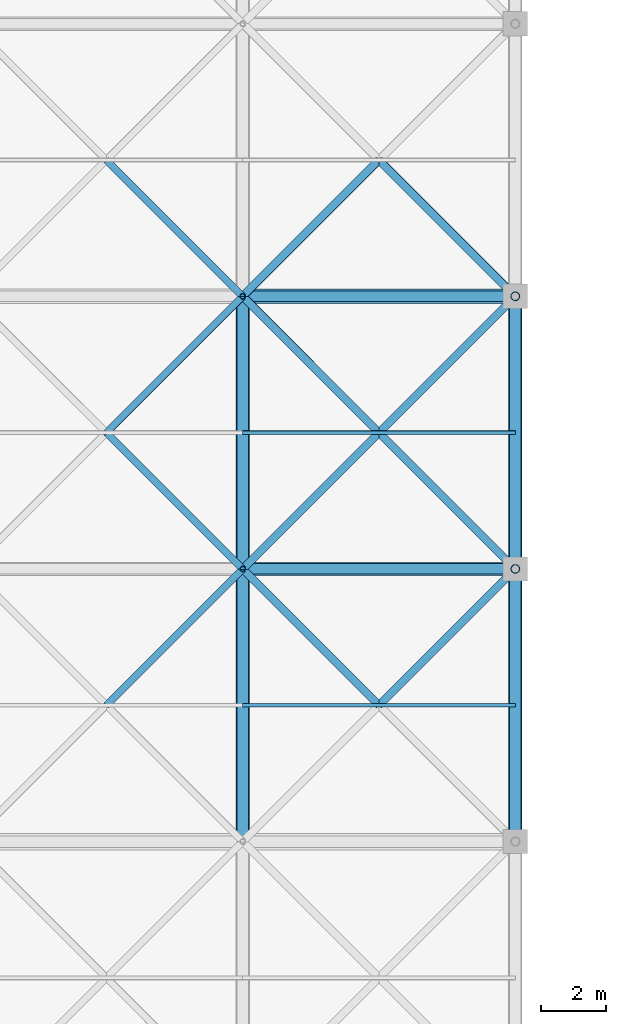
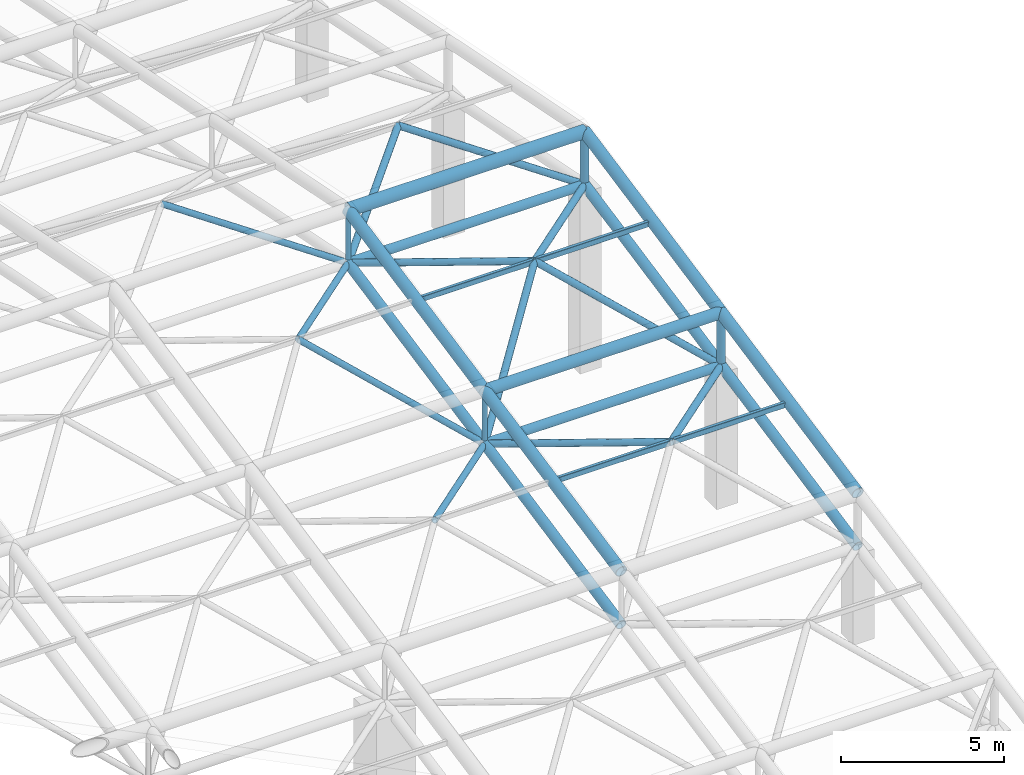
# One storey, part 55 of 81: 30 members.
"""IFC4 building model written with IfcOpenShell, lengths in metres."""

from ifc_helpers import new_model, si_unit, direction, frame, origin, origin_2d, place, context, subcontext, project, spatial, hollow_rectangle, hollow_circle, extrude, material, material_profile, profile_set, type_object, element, save


model = new_model("IFC4")

# Units and contexts
model_context = context("Model", 3, precision=1e-05, world=origin(), true_north=direction((0.0, 1.0)))
body_context = subcontext(model_context, "Body", "Model", "MODEL_VIEW")
ifc_project = project(units=[si_unit("LENGTHUNIT", "METRE"), si_unit("AREAUNIT", "SQUARE_METRE"), si_unit("VOLUMEUNIT", "CUBIC_METRE"), si_unit("PLANEANGLEUNIT", "RADIAN"), si_unit("MASSUNIT", "GRAM", prefix="KILO")], contexts=[model_context])

# Site, building, storey
site_placement = place(None, origin())
site = spatial("IfcSite", under=ifc_project, at=site_placement, CompositionType="ELEMENT")
building_placement = place(site_placement, origin())
building = spatial("IfcBuilding", under=site, at=building_placement, Name="Qawsi Khor Wholesale Market", CompositionType="ELEMENT")
storey_placement = place(building_placement, frame((0.0, 0.0, 16.199951171875)))
storey = spatial("IfcBuildingStorey", under=building, at=storey_placement, Name="L03", CompositionType="ELEMENT", Elevation=16.199951171875)

# Members
ifc_material = material(Name="Steel S355", Category="steel")
ifc_material_profile_1 = material_profile(ifc_material, hollow_circle(Radius=0.177734375, WallThickness=0.01611328125, at=origin_2d()), Name="CHS 355.6x16.0")
ifc_profile_set_1 = profile_set([ifc_material_profile_1], Name="Steel S355")
member_type_1 = type_object("IfcMemberType", Name="Space-Frame Bottom Chord CHS 355.6x16.0", PredefinedType="CHORD", material=ifc_profile_set_1)
for number, where, z_axis, x_axis, name in (
    (1, (67.199951171875, 58.800048828125, 3.3701171875), (0.0, 0.980129990483, 0.1983562496), (-1.0, 0.0, 0.0), "Space frame bottom chord Y WH (8,7)"),
    (2, (67.199951171875, 67.199951171875, 5.070068359375), (0.0, 0.98013111127, 0.198350711418), (-1.0, 0.0, 0.0), "Space frame bottom chord Y WH (8,8)"),
    (3, (75.60009765625, 58.800048828125, 3.3701171875), (0.0, 0.980129990483, 0.1983562496), (-1.0, 0.0, 0.0), "Space frame bottom chord Y WH (9,7)"),
    (4, (75.60009765625, 67.199951171875, 5.070068359375), (0.0, 0.98013111127, 0.198350711418), (-1.0, 0.0, 0.0), "Space frame bottom chord Y WH (9,8)"),
):
    element("IfcMember", number, at=place(storey_placement, frame(where, z_axis=z_axis, x_axis=x_axis)), inside=storey, type_object=member_type_1, Name=name, PredefinedType="CHORD", context=body_context, shape_type="SweptSolid", body=[
        extrude(hollow_circle(Radius=0.177734375, WallThickness=0.01611328125, at=origin_2d()), origin(), (0.0, 0.0, 1.0), 8.5703125),
    ])
ifc_material_profile_2 = material_profile(ifc_material, hollow_circle(Radius=0.136474609375, WallThickness=0.012451171875, at=origin_2d()), Name="CHS 273.0x12.5")
ifc_profile_set_2 = profile_set([ifc_material_profile_2], Name="Steel S355")
member_type_2 = type_object("IfcMemberType", Name="Space-Frame Edge Post CHS 273.0x12.5", PredefinedType="POST", material=ifc_profile_set_2)
for number, where, z_axis, x_axis, name in (
    (5, (75.60009765625, 67.199951171875, 5.070068359375), (0.0, 0.0, 1.0), (1.0, 0.0, 0.0), "Space frame post WH (9,8)"),
    (6, (75.60009765625, 75.60009765625, 6.77001953125), (0.0, 0.0, 1.0), (1.0, 0.0, 0.0), "Space frame post WH (9,9)"),
):
    element("IfcMember", number, at=place(storey_placement, frame(where, z_axis=z_axis, x_axis=x_axis)), inside=storey, type_object=member_type_2, Name=name, PredefinedType="POST", context=body_context, shape_type="SweptSolid", body=[
        extrude(hollow_circle(Radius=0.136474609375, WallThickness=0.012451171875, at=origin_2d()), origin(), (0.0, 0.0, 1.0), 2.0),
    ])
ifc_material_profile_3 = material_profile(ifc_material, hollow_circle(Radius=0.122314453125, WallThickness=0.012451171875, at=origin_2d()), Name="CHS 244.5x12.5")
ifc_profile_set_3 = profile_set([ifc_material_profile_3], Name="Steel S355")
member_type_3 = type_object("IfcMemberType", Name="Space-Frame Heavy Diagonal CHS 244.5x12.5", PredefinedType="POST", material=ifc_profile_set_3)
member_1_placement = place(storey_placement, frame((75.60009765625, 67.199951171875, 5.070068359375), z_axis=(-0.694237619642, -0.694197266374, 0.19006389145), x_axis=(0.70708622964, -0.707127332136, 0.0)))
element("IfcMember", 7, at=member_1_placement, inside=storey, type_object=member_type_3, Name="Space frame diagonal WH (8,7)-3", PredefinedType="POST", context=body_context, shape_type="SweptSolid", body=[
    extrude(hollow_circle(Radius=0.122314453125, WallThickness=0.012451171875, at=origin_2d()), origin(), (0.0, 0.0, 1.0), 6.050048828125),
])
member_2_placement = place(storey_placement, frame((67.199951171875, 67.199951171875, 5.070068359375), z_axis=(0.694216714393, -0.694216714393, 0.190069216113), x_axis=(0.707106781187, 0.707106781187, 0.0)))
element("IfcMember", 8, at=member_2_placement, inside=storey, type_object=member_type_3, Name="Space frame diagonal WH (8,7)-4", PredefinedType="POST", context=body_context, shape_type="SweptSolid", body=[
    extrude(hollow_circle(Radius=0.122314453125, WallThickness=0.012451171875, at=origin_2d()), origin(), (0.0, 0.0, 1.0), 6.0498046875),
])
for number, where, z_axis, x_axis, name in (
    (9, (67.199951171875, 67.199951171875, 5.070068359375), (0.637511741089, 0.637511741089, 0.432617105474), (-0.707106781187, 0.707106781187, 0.0), "Space frame diagonal WH (8,8)-1"),
    (10, (75.60009765625, 67.199951171875, 5.070068359375), (-0.637533737254, 0.637496679957, 0.432606884951), (-0.70708622964, -0.707127332136, 0.0), "Space frame diagonal WH (8,8)-2"),
):
    element("IfcMember", number, at=place(storey_placement, frame(where, z_axis=z_axis, x_axis=x_axis)), inside=storey, type_object=member_type_3, Name=name, PredefinedType="POST", context=body_context, shape_type="SweptSolid", body=[
        extrude(hollow_circle(Radius=0.122314453125, WallThickness=0.012451171875, at=origin_2d()), origin(), (0.0, 0.0, 1.0), 6.588134765625),
    ])
member_3_placement = place(storey_placement, frame((75.60009765625, 75.60009765625, 6.77001953125), z_axis=(-0.694212847476, -0.694212847476, 0.190097461315), x_axis=(0.707106781187, -0.707106781187, 0.0)))
element("IfcMember", 11, at=member_3_placement, inside=storey, type_object=member_type_3, Name="Space frame diagonal WH (8,8)-3", PredefinedType="POST", context=body_context, shape_type="SweptSolid", body=[
    extrude(hollow_circle(Radius=0.122314453125, WallThickness=0.012451171875, at=origin_2d()), origin(), (0.0, 0.0, 1.0), 6.05029296875),
])
for number, where, z_axis, x_axis, name in (
    (12, (67.199951171875, 75.60009765625, 6.77001953125), (0.694191941586, -0.694232294544, 0.190102786538), (0.707127332136, 0.70708622964, 0.0), "Space frame diagonal WH (8,8)-4"),
    (13, (67.199951171875, 75.60009765625, 6.77001953125), (0.694211389158, 0.694211389158, 0.190108112208), (-0.707106781187, 0.707106781187, 0.0), "Space frame diagonal WH (8,9)-1"),
    (14, (75.60009765625, 75.60009765625, 6.77001953125), (-0.694232294544, 0.694191941586, 0.190102786538), (-0.70708622964, -0.707127332136, 0.0), "Space frame diagonal WH (8,9)-2"),
):
    element("IfcMember", number, at=place(storey_placement, frame(where, z_axis=z_axis, x_axis=x_axis)), inside=storey, type_object=member_type_3, Name=name, PredefinedType="POST", context=body_context, shape_type="SweptSolid", body=[
        extrude(hollow_circle(Radius=0.122314453125, WallThickness=0.012451171875, at=origin_2d()), origin(), (0.0, 0.0, 1.0), 6.050048828125),
    ])
ifc_material_profile_4 = material_profile(ifc_material, hollow_rectangle(XDim=0.1201171875, YDim=0.199951171875, WallThickness=0.008056640625, InnerFilletRadius=0.008056640625, OuterFilletRadius=0.01611328125, at=origin_2d()), Name="RHS 200x120x8.0")
ifc_profile_set_4 = profile_set([ifc_material_profile_4], Name="Steel S355")
member_type_4 = type_object("IfcMemberType", Name="Space-Frame Heavy Purlin RHS 200x120x8.0", PredefinedType="PURLIN", material=ifc_profile_set_4)
for number, where, z_axis, x_axis, name in (
    (15, (67.199951171875, 63.0, 6.219970703125), (1.0, 0.0, 0.0), (0.0, 1.0, 0.0), "Space frame purlin WH (8,7)"),
    (16, (67.199951171875, 71.39990234375, 7.920166015625), (1.0, 0.0, 0.0), (0.0, 1.0, 0.0), "Space frame purlin WH (8,8)"),
):
    element("IfcMember", number, at=place(storey_placement, frame(where, z_axis=z_axis, x_axis=x_axis)), inside=storey, type_object=member_type_4, Name=name, PredefinedType="PURLIN", context=body_context, shape_type="SweptSolid", body=[
        extrude(hollow_rectangle(XDim=0.1201171875, YDim=0.199951171875, WallThickness=0.008056640625, InnerFilletRadius=0.008056640625, OuterFilletRadius=0.01611328125, at=origin_2d()), origin(), (0.0, 0.0, 1.0), 8.400146484375),
    ])
ifc_material_profile_5 = material_profile(ifc_material, hollow_circle(Radius=0.109619140625, WallThickness=0.010009765625, at=origin_2d()), Name="CHS 219.1x10.0")
ifc_profile_set_5 = profile_set([ifc_material_profile_5], Name="Steel S355")
member_type_5 = type_object("IfcMemberType", Name="Space-Frame Inner Diagonal CHS 219.1x10.0", PredefinedType="RAFTER", material=ifc_profile_set_5)
member_4_placement = place(storey_placement, frame((67.199951171875, 67.199951171875, 5.070068359375), z_axis=(-0.694216714393, -0.694216714393, 0.190069216113), x_axis=(0.707106781187, -0.707106781187, 0.0)))
element("IfcMember", 17, at=member_4_placement, inside=storey, type_object=member_type_5, Name="Space frame diagonal WH (7,7)-3", PredefinedType="RAFTER", context=body_context, shape_type="SweptSolid", body=[
    extrude(hollow_circle(Radius=0.109619140625, WallThickness=0.010009765625, at=origin_2d()), origin(), (0.0, 0.0, 1.0), 6.0498046875),
])
member_5_placement = place(storey_placement, frame((67.199951171875, 67.199951171875, 5.070068359375), z_axis=(-0.637511741089, 0.637511741089, 0.432617105474), x_axis=(-0.707106781187, -0.707106781187, 0.0)))
element("IfcMember", 18, at=member_5_placement, inside=storey, type_object=member_type_5, Name="Space frame diagonal WH (7,8)-2", PredefinedType="RAFTER", context=body_context, shape_type="SweptSolid", body=[
    extrude(hollow_circle(Radius=0.109619140625, WallThickness=0.010009765625, at=origin_2d()), origin(), (0.0, 0.0, 1.0), 6.588134765625),
])
for number, where, z_axis, x_axis, name in (
    (19, (67.199951171875, 75.60009765625, 6.77001953125), (-0.694191941586, -0.694232294544, 0.190102786538), (0.707127332136, -0.70708622964, 0.0), "Space frame diagonal WH (7,8)-3"),
    (20, (67.199951171875, 75.60009765625, 6.77001953125), (-0.694211389158, 0.694211389158, 0.190108112208), (-0.707106781187, -0.707106781187, 0.0), "Space frame diagonal WH (7,9)-2"),
):
    element("IfcMember", number, at=place(storey_placement, frame(where, z_axis=z_axis, x_axis=x_axis)), inside=storey, type_object=member_type_5, Name=name, PredefinedType="RAFTER", context=body_context, shape_type="SweptSolid", body=[
        extrude(hollow_circle(Radius=0.109619140625, WallThickness=0.010009765625, at=origin_2d()), origin(), (0.0, 0.0, 1.0), 6.050048828125),
    ])
ifc_material_profile_6 = material_profile(ifc_material, hollow_circle(Radius=0.228515625, WallThickness=0.02001953125, at=origin_2d()), Name="CHS 457.0x20.0")
ifc_profile_set_6 = profile_set([ifc_material_profile_6], Name="Steel S355")
member_type_6 = type_object("IfcMemberType", Name="Space-Frame Ridge Chord CHS 457.0x20.0", PredefinedType="CHORD", material=ifc_profile_set_6)
member_6_placement = place(storey_placement, frame((67.199951171875, 75.60009765625, 8.77001953125), z_axis=(1.0, 0.0, 0.0), x_axis=(0.0, 1.0, 0.0)))
element("IfcMember", 21, at=member_6_placement, inside=storey, type_object=member_type_6, Name="Space frame top chord X WH (8,9)", PredefinedType="CHORD", context=body_context, shape_type="SweptSolid", body=[
    extrude(hollow_circle(Radius=0.228515625, WallThickness=0.02001953125, at=origin_2d()), origin(), (0.0, 0.0, 1.0), 8.400146484375),
])
ifc_material_profile_7 = material_profile(ifc_material, hollow_circle(Radius=0.161865234375, WallThickness=0.01611328125, at=origin_2d()), Name="CHS 323.9x16.0")
ifc_profile_set_7 = profile_set([ifc_material_profile_7], Name="Steel S355")
member_type_7 = type_object("IfcMemberType", Name="Space-Frame Secondary Chord CHS 323.9x16.0", PredefinedType="CHORD", material=ifc_profile_set_7)
for number, where, z_axis, x_axis, name in (
    (22, (67.199951171875, 67.199951171875, 5.070068359375), (1.0, 0.0, 0.0), (0.0, 1.0, 0.0), "Space frame bottom chord X WH (8,8)"),
    (23, (67.199951171875, 75.60009765625, 6.77001953125), (1.0, 0.0, 0.0), (0.0, 1.0, 0.0), "Space frame bottom chord X WH (8,9)"),
):
    element("IfcMember", number, at=place(storey_placement, frame(where, z_axis=z_axis, x_axis=x_axis)), inside=storey, type_object=member_type_7, Name=name, PredefinedType="CHORD", context=body_context, shape_type="SweptSolid", body=[
        extrude(hollow_circle(Radius=0.161865234375, WallThickness=0.01611328125, at=origin_2d()), origin(), (0.0, 0.0, 1.0), 8.400146484375),
    ])
ifc_material_profile_8 = material_profile(ifc_material, hollow_circle(Radius=0.203125, WallThickness=0.02001953125, at=origin_2d()), Name="CHS 406.4x20.0")
ifc_profile_set_8 = profile_set([ifc_material_profile_8], Name="Steel S355")
member_type_8 = type_object("IfcMemberType", Name="Space-Frame Top Chord CHS 406.4x20.0", PredefinedType="CHORD", material=ifc_profile_set_8)
member_7_placement = place(storey_placement, frame((67.199951171875, 58.800048828125, 5.3701171875), z_axis=(0.0, 0.980129990483, 0.1983562496), x_axis=(-1.0, 0.0, 0.0)))
element("IfcMember", 24, at=member_7_placement, inside=storey, type_object=member_type_8, Name="Space frame top chord Y WH (8,7)", PredefinedType="CHORD", context=body_context, shape_type="SweptSolid", body=[
    extrude(hollow_circle(Radius=0.203125, WallThickness=0.02001953125, at=origin_2d()), origin(), (0.0, 0.0, 1.0), 8.5703125),
])
member_8_placement = place(storey_placement, frame((67.199951171875, 67.199951171875, 7.070068359375), z_axis=(1.0, 0.0, 0.0), x_axis=(0.0, 1.0, 0.0)))
element("IfcMember", 25, at=member_8_placement, inside=storey, type_object=member_type_8, Name="Space frame top chord X WH (8,8)", PredefinedType="CHORD", context=body_context, shape_type="SweptSolid", body=[
    extrude(hollow_circle(Radius=0.203125, WallThickness=0.02001953125, at=origin_2d()), origin(), (0.0, 0.0, 1.0), 8.400146484375),
])
for number, where, z_axis, x_axis, name in (
    (26, (67.199951171875, 67.199951171875, 7.070068359375), (0.0, 0.98013111127, 0.198350711418), (-1.0, 0.0, 0.0), "Space frame top chord Y WH (8,8)"),
    (27, (75.60009765625, 58.800048828125, 5.3701171875), (0.0, 0.980129990483, 0.1983562496), (-1.0, 0.0, 0.0), "Space frame top chord Y WH (9,7)"),
    (28, (75.60009765625, 67.199951171875, 7.070068359375), (0.0, 0.98013111127, 0.198350711418), (-1.0, 0.0, 0.0), "Space frame top chord Y WH (9,8)"),
):
    element("IfcMember", number, at=place(storey_placement, frame(where, z_axis=z_axis, x_axis=x_axis)), inside=storey, type_object=member_type_8, Name=name, PredefinedType="CHORD", context=body_context, shape_type="SweptSolid", body=[
        extrude(hollow_circle(Radius=0.203125, WallThickness=0.02001953125, at=origin_2d()), origin(), (0.0, 0.0, 1.0), 8.5703125),
    ])
ifc_material_profile_9 = material_profile(ifc_material, hollow_circle(Radius=0.084228515625, WallThickness=0.008056640625, at=origin_2d()), Name="CHS 168.3x8.0")
ifc_profile_set_9 = profile_set([ifc_material_profile_9], Name="Steel S355")
member_type_9 = type_object("IfcMemberType", Name="Space-Frame Vertical Strut CHS 168.3x8.0", PredefinedType="STRUT", material=ifc_profile_set_9)
for number, where, z_axis, x_axis, name in (
    (29, (67.199951171875, 67.199951171875, 5.070068359375), (0.0, 0.0, 1.0), (1.0, 0.0, 0.0), "Space frame post WH (8,8)"),
    (30, (67.199951171875, 75.60009765625, 6.77001953125), (0.0, 0.0, 1.0), (1.0, 0.0, 0.0), "Space frame post WH (8,9)"),
):
    element("IfcMember", number, at=place(storey_placement, frame(where, z_axis=z_axis, x_axis=x_axis)), inside=storey, type_object=member_type_9, Name=name, PredefinedType="STRUT", context=body_context, shape_type="SweptSolid", body=[
        extrude(hollow_circle(Radius=0.084228515625, WallThickness=0.008056640625, at=origin_2d()), origin(), (0.0, 0.0, 1.0), 2.0),
    ])

save(model, "model.ifc")
